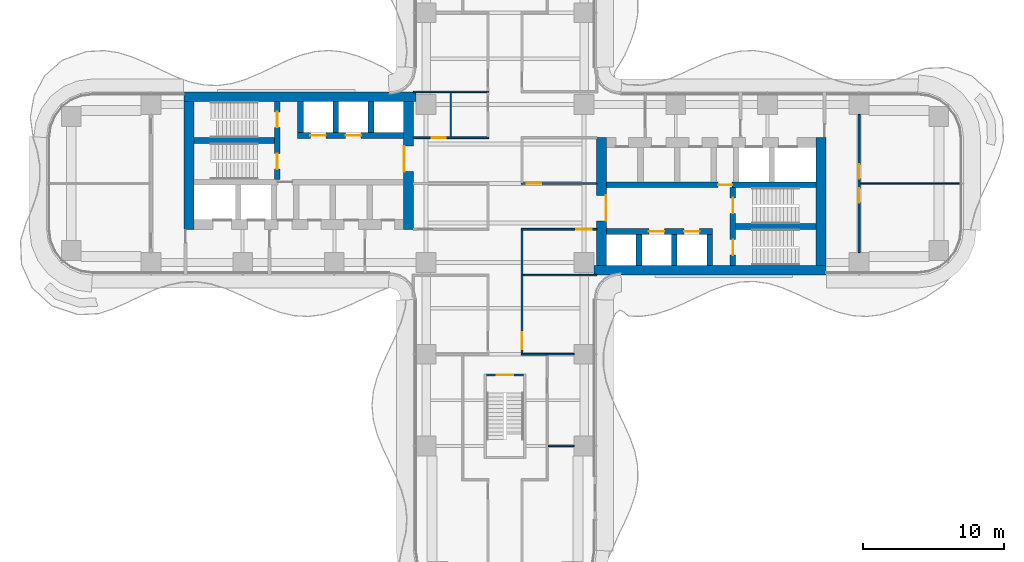
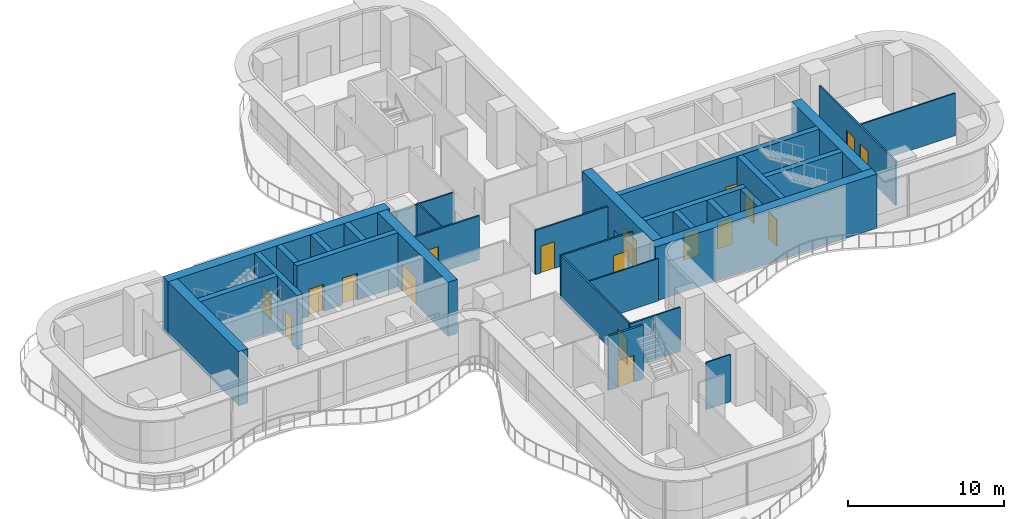
# One storey, part 18 of 22: 32 walls, 18 doors, 18 openings.
"""IFC4 building model written with IfcOpenShell, lengths in metres."""

import ifcopenshell
import ifcopenshell.guid

model = None  # the IFC model being written
_history = None  # IfcOwnerHistory: only IFC2X3 demands one
_inside = {}  # id of a spatial element -> (the spatial element, [elements in it])
_under = {}  # id of a project, library or spatial element -> (it, [spatial elements below it])
_declared = {}  # id of a project -> (the project, [libraries it declares])
_typed = {}  # id of a type object -> (the type object, [elements of that type])
_made_of = {}  # id of a material, layer set ... -> (it, [elements and type objects made of it])


def new_model(schema):
    """Start an empty IFC model of exactly this schema.

    Asked for "IFC4X3", IfcOpenShell would pick the latest addendum, in which some entities
    have other attributes; the version numbers below select the first issue.
    IFC2X3 requires an IfcOwnerHistory on every rooted entity: one is made here for all.
    """
    global model, _history
    if schema == "IFC4X3":
        model = ifcopenshell.file(schema_version=(4, 3, 0, 0))
    else:
        model = ifcopenshell.file(schema=schema)
    _inside.clear()
    _under.clear()
    _declared.clear()
    _typed.clear()
    _made_of.clear()
    _history = None
    if model.schema == "IFC2X3":
        org = make("IfcOrganization", Name="unknown")
        user = make(
            "IfcPersonAndOrganization",
            ThePerson=make("IfcPerson", FamilyName="unknown"),
            TheOrganization=org,
        )
        app = make(
            "IfcApplication",
            ApplicationDeveloper=org,
            Version="unknown",
            ApplicationFullName="unknown",
            ApplicationIdentifier="unknown",
        )
        _history = make(
            "IfcOwnerHistory",
            OwningUser=user,
            OwningApplication=app,
            ChangeAction="ADDED",
            CreationDate=0,
        )
    return model


def make(cls, **values):
    """One entity of the class cls with the attributes given. An attribute that is None is left unset."""
    return model.create_entity(
        cls, **{name: value for name, value in values.items() if value is not None}
    )


def rooted(cls, **values):
    """An entity with a GlobalId (a new one), such as an element, a storey or a relation."""
    return make(cls, GlobalId=ifcopenshell.guid.new(), OwnerHistory=_history, **values)


def si_unit(unit_type, name, prefix=None):
    """IfcSIUnit, for example si_unit("LENGTHUNIT", "METRE", prefix="MILLI")."""
    return make("IfcSIUnit", UnitType=unit_type, Prefix=prefix, Name=name)


def assignment(units):
    """IfcUnitAssignment: the units of a project."""
    return None if units is None else make("IfcUnitAssignment", Units=units)


def point(xyz):
    """IfcCartesianPoint."""
    return None if xyz is None else make("IfcCartesianPoint", Coordinates=xyz)


def direction(xyz):
    """IfcDirection."""
    return None if xyz is None else make("IfcDirection", DirectionRatios=xyz)


def frame(location, z_axis=None, x_axis=None):
    """IfcAxis2Placement3D, a coordinate frame: its origin and axes. An axis left out is left unset."""
    return make(
        "IfcAxis2Placement3D",
        Location=point(location),
        Axis=direction(z_axis),
        RefDirection=direction(x_axis),
    )


def frame_2d(location, x_axis=None):
    """IfcAxis2Placement2D, a coordinate frame in the plane: its origin and x axis."""
    return make(
        "IfcAxis2Placement2D", Location=point(location), RefDirection=direction(x_axis)
    )


def origin():
    """The frame at (0, 0, 0) with its axes left unset."""
    return frame((0.0, 0.0, 0.0))


def place(relative_to, where):
    """IfcLocalPlacement: puts the frame where relative to a parent placement (None: the world)."""
    return make(
        "IfcLocalPlacement", PlacementRelTo=relative_to, RelativePlacement=where
    )


def context(
    kind, dimensions, precision=None, world=None, true_north=None, identifier=None
):
    """IfcGeometricRepresentationContext, for example the 3D "Model" context."""
    return make(
        "IfcGeometricRepresentationContext",
        ContextIdentifier=identifier,
        ContextType=kind,
        CoordinateSpaceDimension=dimensions,
        Precision=precision,
        WorldCoordinateSystem=world,
        TrueNorth=true_north,
    )


def subcontext(parent, identifier, kind, view, scale=None):
    """IfcGeometricRepresentationSubContext, for example "Body" below "Model"."""
    return make(
        "IfcGeometricRepresentationSubContext",
        ContextIdentifier=identifier,
        ContextType=kind,
        ParentContext=parent,
        TargetScale=scale,
        TargetView=view,
    )


def project(units=None, contexts=None):
    """IfcProject with its units and contexts."""
    return rooted(
        "IfcProject",
        Name="project",
        RepresentationContexts=contexts,
        UnitsInContext=assignment(units),
    )


def spatial(cls, under=None, at=None, **own):
    """A site, building, storey or space (cls), placed at a placement, below another one or the project."""
    s = rooted(cls, ObjectPlacement=at, **own)
    if under is not None:
        _under.setdefault(under.id(), (under, []))[1].append(s)
    return s


def profile(cls, at=None, kind="AREA", **sizes):
    """A parametric profile (cls). Its sizes go by their IFC names, for example OverallWidth=200.0."""
    return make(cls, ProfileType=kind, Position=at, **sizes)


def rectangle(**sizes):
    """IfcRectangleProfileDef."""
    return profile("IfcRectangleProfileDef", **sizes)


def extrude(swept, where, along, depth):
    """IfcExtrudedAreaSolid: the profile swept, set in the frame where, extruded along a direction by depth."""
    return make(
        "IfcExtrudedAreaSolid",
        SweptArea=swept,
        Position=where,
        ExtrudedDirection=direction(along),
        Depth=depth,
    )


def shape(context_of_items, identifier, shape_type, items):
    """IfcShapeRepresentation: the items that make up one representation, for example the "Body"."""
    return make(
        "IfcShapeRepresentation",
        ContextOfItems=context_of_items,
        RepresentationIdentifier=identifier,
        RepresentationType=shape_type,
        Items=items,
    )


def source(mapping_origin, context_of_items, identifier, shape_type, items):
    """IfcRepresentationMap: a shape defined once, which mapped items show again and again."""
    return make(
        "IfcRepresentationMap",
        MappingOrigin=mapping_origin,
        MappedRepresentation=shape(context_of_items, identifier, shape_type, items),
    )


def transform(
    local_origin,
    x_axis=None,
    y_axis=None,
    z_axis=None,
    scale=None,
    scale2=None,
    scale3=None,
    uniform=True,
):
    """IfcCartesianTransformationOperator3D, or its non-uniform kind. x_axis, y_axis, z_axis: its Axis1, 2, 3."""
    if uniform:
        return make(
            "IfcCartesianTransformationOperator3D",
            Axis1=direction(x_axis),
            Axis2=direction(y_axis),
            LocalOrigin=point(local_origin),
            Scale=scale,
            Axis3=direction(z_axis),
        )
    return make(
        "IfcCartesianTransformationOperator3DnonUniform",
        Axis1=direction(x_axis),
        Axis2=direction(y_axis),
        LocalOrigin=point(local_origin),
        Scale=scale,
        Axis3=direction(z_axis),
        Scale2=scale2,
        Scale3=scale3,
    )


def mapped(mapping_source, mapping_target):
    """IfcMappedItem: shows the shape of a source again, moved by a transform."""
    return make(
        "IfcMappedItem", MappingSource=mapping_source, MappingTarget=mapping_target
    )


def material(Name=None, Category=None):
    """IfcMaterial."""
    return make("IfcMaterial", Name=Name, Category=Category)


def layer(
    of_material, thickness, ventilated=None, Name=None, Category=None, Priority=None
):
    """IfcMaterialLayer: one layer of a wall or slab, of a material (None: an air gap)."""
    return make(
        "IfcMaterialLayer",
        Material=of_material,
        LayerThickness=thickness,
        IsVentilated=ventilated,
        Name=Name,
        Category=Category,
        Priority=Priority,
    )


def layer_set(layers, Name=None):
    """IfcMaterialLayerSet."""
    return make("IfcMaterialLayerSet", MaterialLayers=layers, LayerSetName=Name)


def made_of(thing, what):
    """Note that an element or type object is made of a material, layer set ...; save() writes the relation."""
    if what is not None:
        _made_of.setdefault(what.id(), (what, []))[1].append(thing)
    return thing


def type_object(cls, material=None, **own):
    """A type object (cls), such as IfcWallType, which elements share."""
    return made_of(rooted(cls, **own), material)


def element(
    cls,
    number,
    at=None,
    inside=None,
    cuts=None,
    type_object=None,
    material=None,
    context=None,
    identifier="Body",
    shape_type=None,
    held_by="IfcProductDefinitionShape",
    body=None,
    shapes=None,
    **own,
):
    """One element of the class cls, such as IfcWall. Its Tag is "e" and its number.

    at: its placement. inside: the storey or other place that contains it. cuts: it is an
    opening in that element (IfcRelVoidsElement). A single representation is given by context,
    identifier, shape_type and body (its items); several are given by shapes. held_by: the class
    of the entity that holds the representations. save() writes the other relations.
    """
    e = rooted(cls, Tag="e%d" % number, ObjectPlacement=at, **own)
    if body is not None:
        shapes = [shape(context, identifier, shape_type, body)]
    if shapes is not None:
        e.Representation = make(held_by, Representations=shapes)
    if inside is not None:
        _inside.setdefault(inside.id(), (inside, []))[1].append(e)
    if cuts is not None:
        rooted(
            "IfcRelVoidsElement", RelatingBuildingElement=cuts, RelatedOpeningElement=e
        )
    if type_object is not None:
        _typed.setdefault(type_object.id(), (type_object, []))[1].append(e)
    return made_of(e, material)


def fill(opening, filler):
    """IfcRelFillsElement: the door or window that sits in an opening."""
    return rooted(
        "IfcRelFillsElement",
        RelatingOpeningElement=opening,
        RelatedBuildingElement=filler,
    )


def aggregate(whole, parts):
    """IfcRelAggregates: a whole, such as a stair, and the parts it consists of."""
    return rooted("IfcRelAggregates", RelatingObject=whole, RelatedObjects=parts)


def save(model, path):
    """Write the relations noted so far, then the file.

    IfcRelAggregates (storeys below a building ...), IfcRelContainedInSpatialStructure (elements
    in a storey), IfcRelDefinesByType, IfcRelAssociatesMaterial and IfcRelDeclares: one each for
    every whole, place, type object, material and project.
    """
    for whole, parts in _under.values():
        aggregate(whole, parts)
    for where, things in _inside.values():
        rooted(
            "IfcRelContainedInSpatialStructure",
            RelatedElements=things,
            RelatingStructure=where,
        )
    for kind, things in _typed.values():
        rooted("IfcRelDefinesByType", RelatedObjects=things, RelatingType=kind)
    for what, things in _made_of.values():
        rooted("IfcRelAssociatesMaterial", RelatedObjects=things, RelatingMaterial=what)
    for by, libraries in _declared.values():
        rooted("IfcRelDeclares", RelatingContext=by, RelatedDefinitions=libraries)
    model.write(path)


model = new_model("IFC4")

# Units and contexts
model_context = context("Model", 3, precision=1e-05, world=origin(), true_north=direction((0.0, 1.0)))
body_context = subcontext(model_context, "Body", "Model", "MODEL_VIEW")
ifc_project = project(units=[si_unit("LENGTHUNIT", "METRE"), si_unit("AREAUNIT", "SQUARE_METRE"), si_unit("VOLUMEUNIT", "CUBIC_METRE"), si_unit("PLANEANGLEUNIT", "RADIAN"), si_unit("MASSUNIT", "GRAM", prefix="KILO")], contexts=[model_context])

# Site, building, storey
site_placement = place(None, origin())
site = spatial("IfcSite", under=ifc_project, at=site_placement, CompositionType="ELEMENT")
building_placement = place(site_placement, origin())
building = spatial("IfcBuilding", under=site, at=building_placement, Name="Trellis Farm Tower", CompositionType="ELEMENT")
storey_placement = place(building_placement, frame((0.0, 0.0, 70.0)))
storey = spatial("IfcBuildingStorey", under=building, at=storey_placement, Name="L14", CompositionType="ELEMENT", Elevation=70.0)

# Wall, opening, door
ifc_material_1 = material(Name="Concrete C80/95", Category="concrete")
ifc_layer_1 = layer(ifc_material_1, 0.699951171875)
ifc_layer_set_1 = layer_set([ifc_layer_1], Name="CORE OUTER WALL 700 CONCRETE C80/95")
wall_type_1 = type_object("IfcWallType", Name="CORE OUTER WALL 700 CONCRETE C80/95", PredefinedType="SHEAR", material=ifc_layer_set_1)
shared_shape_1 = source(origin(), body_context, "Body", "SweptSolid", [
    extrude(rectangle(XDim=9.050048828125, YDim=0.699951171875, at=frame_2d((4.52490234375, 0.0))), origin(), (0.0, 0.0, 1.0), 4.25),
])
wall_1_placement = place(storey_placement, frame((6.85009765625, -5.800048828125, 0.0), z_axis=(0.0, 0.0, 1.0), x_axis=(0.0, 1.0, 0.0)))
wall_1 = element("IfcWall", 1, at=wall_1_placement, inside=storey, type_object=wall_type_1, Name="Core wall", PredefinedType="SHEAR", context=body_context, shape_type="MappedRepresentation", body=[
    mapped(shared_shape_1, transform((0.0, 0.0, 0.0))),
])
shared_shape_2 = source(origin(), body_context, "Body", "SweptSolid", [
    extrude(rectangle(XDim=1.800048828125, YDim=2.10009765625, at=frame_2d((0.89990234375, 1.050048828125))), frame((0.0, 0.360107421875, 0.0), z_axis=(0.0, -1.0, 0.0), x_axis=(1.0, 0.0, 0.0)), (0.0, 0.0, 1.0), 0.72021484375),
])
opening_1_placement = place(wall_1_placement, frame((3.14990234375, 0.0, 0.0)))
opening_1 = element("IfcOpeningElement", 2, at=opening_1_placement, cuts=wall_1, Name="Opening DC1", PredefinedType="OPENING", context=body_context, shape_type="MappedRepresentation", body=[
    mapped(shared_shape_2, transform((0.0, 0.0, 0.0))),
])
ifc_material_2 = material(Name="Steel", Category="steel")
door_type_1 = type_object("IfcDoorType", Name="CORE FIRE DOOR DOUBLE 1800 X 2100", OperationType="DOUBLE_DOOR_SINGLE_SWING", PredefinedType="DOOR", material=ifc_material_2)
shared_shape_3 = source(origin(), body_context, "Body", "SweptSolid", [
    extrude(rectangle(XDim=1.800048828125, YDim=2.10009765625, at=frame_2d((0.89990234375, 1.050048828125))), frame((0.0, -0.27490234375, 0.0), z_axis=(0.0, -1.0, 0.0), x_axis=(1.0, 0.0, 0.0)), (0.0, 0.0, 1.0), 0.050048828125),
])
door_1_placement = place(opening_1_placement, origin())
door_1 = element("IfcDoor", 3, at=door_1_placement, inside=storey, type_object=door_type_1, Name="Core door", OperationType="DOUBLE_DOOR_SINGLE_SWING", OverallHeight=2.10009765625, OverallWidth=1.800048828125, PredefinedType="DOOR", context=body_context, shape_type="MappedRepresentation", body=[
    mapped(shared_shape_3, transform((0.0, 0.0, 0.0))),
])
fill(opening_1, door_1)

# Wall
wall_2_placement = place(storey_placement, frame((22.39990234375, -5.800048828125, 0.0), z_axis=(0.0, 0.0, 1.0), x_axis=(0.0, 1.0, 0.0)))
element("IfcWall", 4, at=wall_2_placement, inside=storey, type_object=wall_type_1, Name="Core wall", PredefinedType="SHEAR", context=body_context, shape_type="MappedRepresentation", body=[
    mapped(shared_shape_1, transform((0.0, 0.0, 0.0))),
])

# Wall, opening, door
wall_3_placement = place(storey_placement, frame((-6.85009765625, 5.800048828125, 0.0), z_axis=(0.0, 0.0, 1.0), x_axis=(0.0, -1.0, 0.0)))
wall_3 = element("IfcWall", 5, at=wall_3_placement, inside=storey, type_object=wall_type_1, Name="Core wall", PredefinedType="SHEAR", context=body_context, shape_type="MappedRepresentation", body=[
    mapped(shared_shape_1, transform((0.0, 0.0, 0.0))),
])
opening_2_placement = place(wall_3_placement, frame((3.14990234375, 0.0, 0.0)))
opening_2 = element("IfcOpeningElement", 6, at=opening_2_placement, cuts=wall_3, Name="Opening DC87", PredefinedType="OPENING", context=body_context, shape_type="MappedRepresentation", body=[
    mapped(shared_shape_2, transform((0.0, 0.0, 0.0))),
])
door_2_placement = place(opening_2_placement, origin())
door_2 = element("IfcDoor", 7, at=door_2_placement, inside=storey, type_object=door_type_1, Name="Core door", OperationType="DOUBLE_DOOR_SINGLE_SWING", OverallHeight=2.10009765625, OverallWidth=1.800048828125, PredefinedType="DOOR", context=body_context, shape_type="MappedRepresentation", body=[
    mapped(shared_shape_3, transform((0.0, 0.0, 0.0))),
])
fill(opening_2, door_2)

# Walls
wall_4_placement = place(storey_placement, frame((-22.39990234375, 5.800048828125, 0.0), z_axis=(0.0, 0.0, 1.0), x_axis=(0.0, -1.0, 0.0)))
element("IfcWall", 8, at=wall_4_placement, inside=storey, type_object=wall_type_1, Name="Core wall", PredefinedType="SHEAR", context=body_context, shape_type="MappedRepresentation", body=[
    mapped(shared_shape_1, transform((0.0, 0.0, 0.0))),
])
ifc_layer_2 = layer(ifc_material_1, 0.39990234375)
ifc_layer_set_2 = layer_set([ifc_layer_2], Name="CORE INNER WALL 400 CONCRETE C80/95")
wall_type_2 = type_object("IfcWallType", Name="CORE INNER WALL 400 CONCRETE C80/95", PredefinedType="SHEAR", material=ifc_layer_set_2)
shared_shape_4 = source(origin(), body_context, "Body", "SweptSolid", [
    extrude(rectangle(XDim=2.199951171875, YDim=0.39990234375, at=frame_2d((1.10009765625, 0.0))), origin(), (0.0, 0.0, 1.0), 4.25),
])
for number, where, z_axis, x_axis, name in (
    (9, (9.5, -5.800048828125, 0.0), (0.0, 0.0, 1.0), (0.0, 1.0, 0.0), "Core wall"),
    (10, (12.0, -5.800048828125, 0.0), (0.0, 0.0, 1.0), (0.0, 1.0, 0.0), "Core wall"),
    (11, (14.5, -5.800048828125, 0.0), (0.0, 0.0, 1.0), (0.0, 1.0, 0.0), "Core wall"),
    (12, (-9.5, 5.800048828125, 0.0), (0.0, 0.0, 1.0), (0.0, -1.0, 0.0), "Core wall"),
    (13, (-12.0, 5.800048828125, 0.0), (0.0, 0.0, 1.0), (0.0, -1.0, 0.0), "Core wall"),
    (14, (-14.5, 5.800048828125, 0.0), (0.0, 0.0, 1.0), (0.0, -1.0, 0.0), "Core wall"),
):
    element("IfcWall", number, at=place(storey_placement, frame(where, z_axis=z_axis, x_axis=x_axis)), inside=storey, type_object=wall_type_2, Name=name, PredefinedType="SHEAR", context=body_context, shape_type="MappedRepresentation", body=[
        mapped(shared_shape_4, transform((0.0, 0.0, 0.0))),
    ])
shared_shape_5 = source(origin(), body_context, "Body", "SweptSolid", [
    extrude(rectangle(XDim=16.449951171875, YDim=0.699951171875, at=frame_2d((8.22509765625, 0.0))), origin(), (0.0, 0.0, 1.0), 4.25),
])
for number, where, z_axis, x_axis, name in (
    (15, (6.300048828125, -6.14990234375, 0.0), (0.0, 0.0, 1.0), (1.0, 0.0, 0.0), "Core wall"),
    (16, (-6.300048828125, 6.14990234375, 0.0), (0.0, 0.0, 1.0), (-1.0, 0.0, 0.0), "Core wall"),
):
    element("IfcWall", number, at=place(storey_placement, frame(where, z_axis=z_axis, x_axis=x_axis)), inside=storey, type_object=wall_type_1, Name=name, PredefinedType="SHEAR", context=body_context, shape_type="MappedRepresentation", body=[
        mapped(shared_shape_5, transform((0.0, 0.0, 0.0))),
    ])

# Wall, openings, doors
shared_shape_6 = source(origin(), body_context, "Body", "SweptSolid", [
    extrude(rectangle(XDim=7.5, YDim=0.39990234375, at=frame_2d((3.75, 0.0))), origin(), (0.0, 0.0, 1.0), 4.25),
])
wall_5_placement = place(storey_placement, frame((7.199951171875, -3.39990234375, 0.0), z_axis=(0.0, 0.0, 1.0), x_axis=(1.0, 0.0, 0.0)))
wall_5 = element("IfcWall", 17, at=wall_5_placement, inside=storey, type_object=wall_type_2, Name="Core wall", PredefinedType="SHEAR", context=body_context, shape_type="MappedRepresentation", body=[
    mapped(shared_shape_6, transform((0.0, 0.0, 0.0))),
])
shared_shape_7 = source(origin(), body_context, "Body", "SweptSolid", [
    extrude(rectangle(XDim=1.10009765625, YDim=2.10009765625, at=frame_2d((0.550048828125, 1.050048828125))), frame((0.0, 0.2099609375, 0.0), z_axis=(0.0, -1.0, 0.0), x_axis=(1.0, 0.0, 0.0)), (0.0, 0.0, 1.0), 0.419921875),
])
opening_3_placement = place(wall_5_placement, frame((3.0, 0.0, 0.0)))
opening_3 = element("IfcOpeningElement", 18, at=opening_3_placement, cuts=wall_5, Name="Opening LD2", PredefinedType="OPENING", context=body_context, shape_type="MappedRepresentation", body=[
    mapped(shared_shape_7, transform((0.0, 0.0, 0.0))),
])
opening_4_placement = place(wall_5_placement, frame((5.5, 0.0, 0.0)))
opening_4 = element("IfcOpeningElement", 19, at=opening_4_placement, cuts=wall_5, Name="Opening LD3", PredefinedType="OPENING", context=body_context, shape_type="MappedRepresentation", body=[
    mapped(shared_shape_7, transform((0.0, 0.0, 0.0))),
])
ifc_material_3 = material(Name="Stainless steel", Category="steel")
door_type_2 = type_object("IfcDoorType", Name="LIFT LANDING DOOR 1100 X 2100", OperationType="DOUBLE_DOOR_SLIDING", PredefinedType="DOOR", material=ifc_material_3)
shared_shape_8 = source(origin(), body_context, "Body", "SweptSolid", [
    extrude(rectangle(XDim=1.10009765625, YDim=2.10009765625, at=frame_2d((0.550048828125, 1.050048828125))), frame((0.0, 0.02490234375, 0.0), z_axis=(0.0, -1.0, 0.0), x_axis=(1.0, 0.0, 0.0)), (0.0, 0.0, 1.0), 0.050048828125),
])
door_3_placement = place(opening_3_placement, origin())
door_3 = element("IfcDoor", 20, at=door_3_placement, inside=storey, type_object=door_type_2, Name="Lift landing door", OperationType="DOUBLE_DOOR_SLIDING", OverallHeight=2.10009765625, OverallWidth=1.10009765625, PredefinedType="DOOR", context=body_context, shape_type="MappedRepresentation", body=[
    mapped(shared_shape_8, transform((0.0, 0.0, 0.0))),
])
fill(opening_3, door_3)
door_4_placement = place(opening_4_placement, origin())
door_4 = element("IfcDoor", 21, at=door_4_placement, inside=storey, type_object=door_type_2, Name="Lift landing door", OperationType="DOUBLE_DOOR_SLIDING", OverallHeight=2.10009765625, OverallWidth=1.10009765625, PredefinedType="DOOR", context=body_context, shape_type="MappedRepresentation", body=[
    mapped(shared_shape_8, transform((0.0, 0.0, 0.0))),
])
fill(opening_4, door_4)

wall_6_placement = place(storey_placement, frame((-7.199951171875, 3.39990234375, 0.0), z_axis=(0.0, 0.0, 1.0), x_axis=(-1.0, 0.0, 0.0)))
wall_6 = element("IfcWall", 22, at=wall_6_placement, inside=storey, type_object=wall_type_2, Name="Core wall", PredefinedType="SHEAR", context=body_context, shape_type="MappedRepresentation", body=[
    mapped(shared_shape_6, transform((0.0, 0.0, 0.0))),
])
opening_5_placement = place(wall_6_placement, frame((3.0, 0.0, 0.0)))
opening_5 = element("IfcOpeningElement", 23, at=opening_5_placement, cuts=wall_6, Name="Opening LD10", PredefinedType="OPENING", context=body_context, shape_type="MappedRepresentation", body=[
    mapped(shared_shape_7, transform((0.0, 0.0, 0.0))),
])
opening_6_placement = place(wall_6_placement, frame((5.5, 0.0, 0.0)))
opening_6 = element("IfcOpeningElement", 24, at=opening_6_placement, cuts=wall_6, Name="Opening LD11", PredefinedType="OPENING", context=body_context, shape_type="MappedRepresentation", body=[
    mapped(shared_shape_7, transform((0.0, 0.0, 0.0))),
])
door_5_placement = place(opening_5_placement, origin())
door_5 = element("IfcDoor", 25, at=door_5_placement, inside=storey, type_object=door_type_2, Name="Lift landing door", OperationType="DOUBLE_DOOR_SLIDING", OverallHeight=2.10009765625, OverallWidth=1.10009765625, PredefinedType="DOOR", context=body_context, shape_type="MappedRepresentation", body=[
    mapped(shared_shape_8, transform((0.0, 0.0, 0.0))),
])
fill(opening_5, door_5)
door_6_placement = place(opening_6_placement, origin())
door_6 = element("IfcDoor", 26, at=door_6_placement, inside=storey, type_object=door_type_2, Name="Lift landing door", OperationType="DOUBLE_DOOR_SLIDING", OverallHeight=2.10009765625, OverallWidth=1.10009765625, PredefinedType="DOOR", context=body_context, shape_type="MappedRepresentation", body=[
    mapped(shared_shape_8, transform((0.0, 0.0, 0.0))),
])
fill(opening_6, door_6)

# Wall, opening, door
shared_shape_9 = source(origin(), body_context, "Body", "SweptSolid", [
    extrude(rectangle(XDim=14.85009765625, YDim=0.39990234375, at=frame_2d((7.425048828125, 0.0))), origin(), (0.0, 0.0, 1.0), 4.25),
])
wall_7_placement = place(storey_placement, frame((7.199951171875, -0.10009765625, 0.0), z_axis=(0.0, 0.0, 1.0), x_axis=(1.0, 0.0, 0.0)))
wall_7 = element("IfcWall", 27, at=wall_7_placement, inside=storey, type_object=wall_type_2, Name="Core wall", PredefinedType="SHEAR", context=body_context, shape_type="MappedRepresentation", body=[
    mapped(shared_shape_9, transform((0.0, 0.0, 0.0))),
])
shared_shape_10 = source(origin(), body_context, "Body", "SweptSolid", [
    extrude(rectangle(XDim=1.0, YDim=2.10009765625, at=frame_2d((0.5, 1.050048828125))), frame((0.0, 0.2099609375, 0.0), z_axis=(0.0, -1.0, 0.0), x_axis=(1.0, 0.0, 0.0)), (0.0, 0.0, 1.0), 0.419921875),
])
opening_7_placement = place(wall_7_placement, frame((7.89990234375, 0.0, 0.0)))
opening_7 = element("IfcOpeningElement", 28, at=opening_7_placement, cuts=wall_7, Name="Opening DC5", PredefinedType="OPENING", context=body_context, shape_type="MappedRepresentation", body=[
    mapped(shared_shape_10, transform((0.0, 0.0, 0.0))),
])
door_type_3 = type_object("IfcDoorType", Name="CORE FIRE DOOR 1000 X 2100", OperationType="NOTDEFINED", PredefinedType="DOOR", material=ifc_material_2)
shared_shape_11 = source(origin(), body_context, "Body", "SweptSolid", [
    extrude(rectangle(XDim=1.0, YDim=2.10009765625, at=frame_2d((0.5, 1.050048828125))), frame((0.0, 0.02490234375, 0.0), z_axis=(0.0, -1.0, 0.0), x_axis=(1.0, 0.0, 0.0)), (0.0, 0.0, 1.0), 0.050048828125),
])
door_7_placement = place(opening_7_placement, origin())
door_7 = element("IfcDoor", 29, at=door_7_placement, inside=storey, type_object=door_type_3, Name="Core door", OperationType="SINGLE_SWING_RIGHT", OverallHeight=2.10009765625, OverallWidth=1.0, PredefinedType="DOOR", context=body_context, shape_type="MappedRepresentation", body=[
    mapped(shared_shape_11, transform((0.0, 0.0, 0.0))),
])
fill(opening_7, door_7)

# Wall, openings, doors
shared_shape_12 = source(origin(), body_context, "Body", "SweptSolid", [
    extrude(rectangle(XDim=5.5, YDim=0.39990234375, at=frame_2d((2.75, 0.0))), origin(), (0.0, 0.0, 1.0), 4.25),
])
wall_8_placement = place(storey_placement, frame((16.14990234375, -5.800048828125, 0.0), z_axis=(0.0, 0.0, 1.0), x_axis=(0.0, 1.0, 0.0)))
wall_8 = element("IfcWall", 30, at=wall_8_placement, inside=storey, type_object=wall_type_2, Name="Core wall", PredefinedType="SHEAR", context=body_context, shape_type="MappedRepresentation", body=[
    mapped(shared_shape_12, transform((0.0, 0.0, 0.0))),
])
opening_8_placement = place(wall_8_placement, frame((0.72509765625, 0.0, 0.0)))
opening_8 = element("IfcOpeningElement", 31, at=opening_8_placement, cuts=wall_8, Name="Opening DC2", PredefinedType="OPENING", context=body_context, shape_type="MappedRepresentation", body=[
    mapped(shared_shape_7, transform((0.0, 0.0, 0.0))),
])
opening_9_placement = place(wall_8_placement, frame((3.675048828125, 0.0, 0.0)))
opening_9 = element("IfcOpeningElement", 32, at=opening_9_placement, cuts=wall_8, Name="Opening DC3", PredefinedType="OPENING", context=body_context, shape_type="MappedRepresentation", body=[
    mapped(shared_shape_7, transform((0.0, 0.0, 0.0))),
])
door_type_4 = type_object("IfcDoorType", Name="CORE FIRE DOOR 1100 X 2100", OperationType="NOTDEFINED", PredefinedType="DOOR", material=ifc_material_2)
door_8_placement = place(opening_8_placement, origin())
door_8 = element("IfcDoor", 33, at=door_8_placement, inside=storey, type_object=door_type_4, Name="Core door", OperationType="SINGLE_SWING_RIGHT", OverallHeight=2.10009765625, OverallWidth=1.10009765625, PredefinedType="DOOR", context=body_context, shape_type="MappedRepresentation", body=[
    mapped(shared_shape_8, transform((0.0, 0.0, 0.0))),
])
fill(opening_8, door_8)
door_9_placement = place(opening_9_placement, origin())
door_9 = element("IfcDoor", 34, at=door_9_placement, inside=storey, type_object=door_type_4, Name="Core door", OperationType="SINGLE_SWING_LEFT", OverallHeight=2.10009765625, OverallWidth=1.10009765625, PredefinedType="DOOR", context=body_context, shape_type="MappedRepresentation", body=[
    mapped(shared_shape_8, transform((0.0, 0.0, 0.0))),
])
fill(opening_9, door_9)

wall_9_placement = place(storey_placement, frame((-16.14990234375, 5.800048828125, 0.0), z_axis=(0.0, 0.0, 1.0), x_axis=(0.0, -1.0, 0.0)))
wall_9 = element("IfcWall", 35, at=wall_9_placement, inside=storey, type_object=wall_type_2, Name="Core wall", PredefinedType="SHEAR", context=body_context, shape_type="MappedRepresentation", body=[
    mapped(shared_shape_12, transform((0.0, 0.0, 0.0))),
])
opening_10_placement = place(wall_9_placement, frame((0.72509765625, 0.0, 0.0)))
opening_10 = element("IfcOpeningElement", 36, at=opening_10_placement, cuts=wall_9, Name="Opening DC88", PredefinedType="OPENING", context=body_context, shape_type="MappedRepresentation", body=[
    mapped(shared_shape_7, transform((0.0, 0.0, 0.0))),
])
opening_11_placement = place(wall_9_placement, frame((3.675048828125, 0.0, 0.0)))
opening_11 = element("IfcOpeningElement", 37, at=opening_11_placement, cuts=wall_9, Name="Opening DC89", PredefinedType="OPENING", context=body_context, shape_type="MappedRepresentation", body=[
    mapped(shared_shape_7, transform((0.0, 0.0, 0.0))),
])
door_10_placement = place(opening_10_placement, origin())
door_10 = element("IfcDoor", 38, at=door_10_placement, inside=storey, type_object=door_type_4, Name="Core door", OperationType="SINGLE_SWING_RIGHT", OverallHeight=2.10009765625, OverallWidth=1.10009765625, PredefinedType="DOOR", context=body_context, shape_type="MappedRepresentation", body=[
    mapped(shared_shape_8, transform((0.0, 0.0, 0.0))),
])
fill(opening_10, door_10)
door_11_placement = place(opening_11_placement, origin())
door_11 = element("IfcDoor", 39, at=door_11_placement, inside=storey, type_object=door_type_4, Name="Core door", OperationType="SINGLE_SWING_LEFT", OverallHeight=2.10009765625, OverallWidth=1.10009765625, PredefinedType="DOOR", context=body_context, shape_type="MappedRepresentation", body=[
    mapped(shared_shape_8, transform((0.0, 0.0, 0.0))),
])
fill(opening_11, door_11)

# Walls
shared_shape_13 = source(origin(), body_context, "Body", "SweptSolid", [
    extrude(rectangle(XDim=5.699951171875, YDim=0.39990234375, at=frame_2d((2.85009765625, 0.0))), origin(), (0.0, 0.0, 1.0), 4.25),
])
for number, where, z_axis, x_axis, name in (
    (40, (16.35009765625, -3.050048828125, 0.0), (0.0, 0.0, 1.0), (1.0, 0.0, 0.0), "Core wall"),
    (41, (-16.35009765625, 3.050048828125, 0.0), (0.0, 0.0, 1.0), (-1.0, 0.0, 0.0), "Core wall"),
):
    element("IfcWall", number, at=place(storey_placement, frame(where, z_axis=z_axis, x_axis=x_axis)), inside=storey, type_object=wall_type_2, Name=name, PredefinedType="SHEAR", context=body_context, shape_type="MappedRepresentation", body=[
        mapped(shared_shape_13, transform((0.0, 0.0, 0.0))),
    ])

# Wall, opening, door
ifc_layer_3 = layer(ifc_material_1, 0.14990234375)
ifc_layer_set_3 = layer_set([ifc_layer_3], Name="CORE STAIR ENCLOSURE WALL 150 CONCRETE C80/95")
wall_type_3 = type_object("IfcWallType", Name="CORE STAIR ENCLOSURE WALL 150 CONCRETE C80/95", PredefinedType="SHEAR", material=ifc_layer_set_3)
shared_shape_14 = source(origin(), body_context, "Body", "SweptSolid", [
    extrude(rectangle(XDim=2.60009765625, YDim=0.14990234375, at=frame_2d((1.300048828125, 0.0))), origin(), (0.0, 0.0, 1.0), 4.25),
])
wall_10_placement = place(storey_placement, frame((1.300048828125, -13.574951171875, 0.0), z_axis=(0.0, 0.0, 1.0), x_axis=(-1.0, 0.0, 0.0)))
wall_10 = element("IfcWall", 42, at=wall_10_placement, inside=storey, type_object=wall_type_3, Name="Stair enclosure wall", PredefinedType="SHEAR", context=body_context, shape_type="MappedRepresentation", body=[
    mapped(shared_shape_14, transform((0.0, 0.0, 0.0))),
])
shared_shape_15 = source(origin(), body_context, "Body", "SweptSolid", [
    extrude(rectangle(XDim=1.199951171875, YDim=2.10009765625, at=frame_2d((0.60009765625, 1.050048828125))), frame((0.0, 0.0849609375, 0.0), z_axis=(0.0, -1.0, 0.0), x_axis=(1.0, 0.0, 0.0)), (0.0, 0.0, 1.0), 0.169921875),
])
opening_12_placement = place(wall_10_placement, frame((0.699951171875, 0.0, 0.0)))
opening_12 = element("IfcOpeningElement", 43, at=opening_12_placement, cuts=wall_10, Name="Opening DC174", PredefinedType="OPENING", context=body_context, shape_type="MappedRepresentation", body=[
    mapped(shared_shape_15, transform((0.0, 0.0, 0.0))),
])
door_type_5 = type_object("IfcDoorType", Name="CORE FIRE DOOR 1200 X 2100", OperationType="NOTDEFINED", PredefinedType="DOOR", material=ifc_material_2)
shared_shape_16 = source(origin(), body_context, "Body", "SweptSolid", [
    extrude(rectangle(XDim=1.199951171875, YDim=2.10009765625, at=frame_2d((0.60009765625, 1.050048828125))), frame((0.0, 0.02490234375, 0.0), z_axis=(0.0, -1.0, 0.0), x_axis=(1.0, 0.0, 0.0)), (0.0, 0.0, 1.0), 0.050048828125),
])
door_12_placement = place(opening_12_placement, origin())
door_12 = element("IfcDoor", 44, at=door_12_placement, inside=storey, type_object=door_type_5, Name="Core door", OperationType="SINGLE_SWING_RIGHT", OverallHeight=2.10009765625, OverallWidth=1.199951171875, PredefinedType="DOOR", context=body_context, shape_type="MappedRepresentation", body=[
    mapped(shared_shape_16, transform((0.0, 0.0, 0.0))),
])
fill(opening_12, door_12)

# Wall, openings, doors
ifc_material_4 = material(Name="Plasterboard on steel studs, mineral wool", Category="steel")
ifc_layer_4 = layer(ifc_material_4, 0.125)
ifc_layer_set_4 = layer_set([ifc_layer_4], Name="PARTITION 125 STUD EI 60")
wall_type_4 = type_object("IfcWallType", Name="PARTITION 125 STUD EI 60", PredefinedType="PARTITIONING", material=ifc_layer_set_4)
shared_shape_17 = source(origin(), body_context, "Body", "SweptSolid", [
    extrude(rectangle(XDim=9.7998046875, YDim=0.125, at=frame_2d((4.89990234375, 0.0))), origin(), (0.0, 0.0, 1.0), 3.4677734375),
])
wall_11_placement = place(storey_placement, frame((25.10009765625, 4.89990234375, 0.0), z_axis=(0.0, 0.0, 1.0), x_axis=(0.0, -1.0, 0.0)))
wall_11 = element("IfcWall", 45, at=wall_11_placement, inside=storey, type_object=wall_type_4, Name="Partition PW1", PredefinedType="PARTITIONING", context=body_context, shape_type="MappedRepresentation", body=[
    mapped(shared_shape_17, transform((0.0, 0.0, 0.0))),
])
shared_shape_18 = source(origin(), body_context, "Body", "SweptSolid", [
    extrude(rectangle(XDim=1.0, YDim=2.10009765625, at=frame_2d((0.5, 1.050048828125))), frame((0.0, 0.072509765625, 0.0), z_axis=(0.0, -1.0, 0.0), x_axis=(1.0, 0.0, 0.0)), (0.0, 0.0, 1.0), 0.14501953125),
])
opening_13_placement = place(wall_11_placement, frame((5.25, 0.0, 0.0)))
opening_13 = element("IfcOpeningElement", 46, at=opening_13_placement, cuts=wall_11, Name="Opening D106", PredefinedType="OPENING", context=body_context, shape_type="MappedRepresentation", body=[
    mapped(shared_shape_18, transform((0.0, 0.0, 0.0))),
])
opening_14_placement = place(wall_11_placement, frame((3.550048828125, 0.0, 0.0)))
opening_14 = element("IfcOpeningElement", 47, at=opening_14_placement, cuts=wall_11, Name="Opening D108", PredefinedType="OPENING", context=body_context, shape_type="MappedRepresentation", body=[
    mapped(shared_shape_18, transform((0.0, 0.0, 0.0))),
])
ifc_material_5 = material(Name="Fire-rated timber door leaf in a hollow metal frame", Category="wood")
door_type_6 = type_object("IfcDoorType", Name="DOOR 1000x2100 FD30S", OperationType="NOTDEFINED", PredefinedType="DOOR", material=ifc_material_5)
door_13_placement = place(opening_13_placement, origin())
door_13 = element("IfcDoor", 48, at=door_13_placement, inside=storey, type_object=door_type_6, Name="Door D106", OperationType="SINGLE_SWING_LEFT", OverallHeight=2.10009765625, OverallWidth=1.0, PredefinedType="DOOR", context=body_context, shape_type="MappedRepresentation", body=[
    mapped(shared_shape_11, transform((0.0, 0.0, 0.0))),
])
fill(opening_13, door_13)
door_14_placement = place(opening_14_placement, origin())
door_14 = element("IfcDoor", 49, at=door_14_placement, inside=storey, type_object=door_type_6, Name="Door D108", OperationType="SINGLE_SWING_RIGHT", OverallHeight=2.10009765625, OverallWidth=1.0, PredefinedType="DOOR", context=body_context, shape_type="MappedRepresentation", body=[
    mapped(shared_shape_11, transform((0.0, 0.0, 0.0))),
])
fill(opening_14, door_14)

# Wall
shared_shape_19 = source(origin(), body_context, "Body", "SweptSolid", [
    extrude(rectangle(XDim=1.925048828125, YDim=0.125, at=frame_2d((0.96240234375, 0.0))), origin(), (0.0, 0.0, 1.0), 3.4677734375),
])
wall_12_placement = place(storey_placement, frame((1.137451171875, -12.10009765625, 0.0), z_axis=(0.0, 0.0, 1.0), x_axis=(1.0, 0.0, 0.0)))
element("IfcWall", 50, at=wall_12_placement, inside=storey, type_object=wall_type_4, Name="Partition PW1", PredefinedType="PARTITIONING", context=body_context, shape_type="MappedRepresentation", body=[
    mapped(shared_shape_19, transform((0.0, 0.0, 0.0))),
])

# Wall, opening, door
shared_shape_20 = source(origin(), body_context, "Body", "SweptSolid", [
    extrude(rectangle(XDim=5.362548828125, YDim=0.125, at=frame_2d((2.68115234375, 0.0))), origin(), (0.0, 0.0, 1.0), 3.4677734375),
])
wall_13_placement = place(storey_placement, frame((6.5, -3.25, 0.0), z_axis=(0.0, 0.0, 1.0), x_axis=(-1.0, 0.0, 0.0)))
wall_13 = element("IfcWall", 51, at=wall_13_placement, inside=storey, type_object=wall_type_4, Name="Partition PW1", PredefinedType="PARTITIONING", context=body_context, shape_type="MappedRepresentation", body=[
    mapped(shared_shape_20, transform((0.0, 0.0, 0.0))),
])
shared_shape_21 = source(origin(), body_context, "Body", "SweptSolid", [
    extrude(rectangle(XDim=1.10009765625, YDim=2.10009765625, at=frame_2d((0.550048828125, 1.050048828125))), frame((0.0, 0.072509765625, 0.0), z_axis=(0.0, -1.0, 0.0), x_axis=(1.0, 0.0, 0.0)), (0.0, 0.0, 1.0), 0.14501953125),
])
opening_15_placement = place(wall_13_placement, frame((0.35009765625, 0.0, 0.0)))
opening_15 = element("IfcOpeningElement", 52, at=opening_15_placement, cuts=wall_13, Name="Opening D501", PredefinedType="OPENING", context=body_context, shape_type="MappedRepresentation", body=[
    mapped(shared_shape_21, transform((0.0, 0.0, 0.0))),
])
door_type_7 = type_object("IfcDoorType", Name="DOOR 1100x2100 FD30S", OperationType="NOTDEFINED", PredefinedType="DOOR", material=ifc_material_5)
door_15_placement = place(opening_15_placement, origin())
door_15 = element("IfcDoor", 53, at=door_15_placement, inside=storey, type_object=door_type_7, Name="Door D501", OperationType="SINGLE_SWING_LEFT", OverallHeight=2.10009765625, OverallWidth=1.10009765625, PredefinedType="DOOR", context=body_context, shape_type="MappedRepresentation", body=[
    mapped(shared_shape_8, transform((0.0, 0.0, 0.0))),
])
fill(opening_15, door_15)

wall_14_placement = place(storey_placement, frame((6.5, 0.0, 0.0), z_axis=(0.0, 0.0, 1.0), x_axis=(-1.0, 0.0, 0.0)))
wall_14 = element("IfcWall", 54, at=wall_14_placement, inside=storey, type_object=wall_type_4, Name="Partition PW1", PredefinedType="PARTITIONING", context=body_context, shape_type="MappedRepresentation", body=[
    mapped(shared_shape_20, transform((0.0, 0.0, 0.0))),
])
opening_16_placement = place(wall_14_placement, frame((3.949951171875, 0.0, 0.0)))
opening_16 = element("IfcOpeningElement", 55, at=opening_16_placement, cuts=wall_14, Name="Opening D107", PredefinedType="OPENING", context=body_context, shape_type="MappedRepresentation", body=[
    mapped(shared_shape_18, transform((0.0, 0.0, 0.0))),
])
door_16_placement = place(opening_16_placement, origin())
door_16 = element("IfcDoor", 56, at=door_16_placement, inside=storey, type_object=door_type_6, Name="Door D107", OperationType="SINGLE_SWING_RIGHT", OverallHeight=2.10009765625, OverallWidth=1.0, PredefinedType="DOOR", context=body_context, shape_type="MappedRepresentation", body=[
    mapped(shared_shape_11, transform((0.0, 0.0, 0.0))),
])
fill(opening_16, door_16)

wall_15_placement = place(storey_placement, frame((-6.5, 3.25, 0.0), z_axis=(0.0, 0.0, 1.0), x_axis=(1.0, 0.0, 0.0)))
wall_15 = element("IfcWall", 57, at=wall_15_placement, inside=storey, type_object=wall_type_4, Name="Partition PW1", PredefinedType="PARTITIONING", context=body_context, shape_type="MappedRepresentation", body=[
    mapped(shared_shape_20, transform((0.0, 0.0, 0.0))),
])
opening_17_placement = place(wall_15_placement, frame((1.300048828125, 0.0, 0.0)))
opening_17 = element("IfcOpeningElement", 58, at=opening_17_placement, cuts=wall_15, Name="Opening D109", PredefinedType="OPENING", context=body_context, shape_type="MappedRepresentation", body=[
    mapped(shared_shape_18, transform((0.0, 0.0, 0.0))),
])
door_17_placement = place(opening_17_placement, origin())
door_17 = element("IfcDoor", 59, at=door_17_placement, inside=storey, type_object=door_type_6, Name="Door D109", OperationType="SINGLE_SWING_RIGHT", OverallHeight=2.10009765625, OverallWidth=1.0, PredefinedType="DOOR", context=body_context, shape_type="MappedRepresentation", body=[
    mapped(shared_shape_11, transform((0.0, 0.0, 0.0))),
])
fill(opening_17, door_17)

shared_shape_22 = source(origin(), body_context, "Body", "SweptSolid", [
    extrude(rectangle(XDim=8.72509765625, YDim=0.125, at=frame_2d((4.362548828125, 0.0))), origin(), (0.0, 0.0, 1.0), 3.4677734375),
])
wall_16_placement = place(storey_placement, frame((1.199951171875, -3.3125, 0.0), z_axis=(0.0, 0.0, 1.0), x_axis=(0.0, -1.0, 0.0)))
wall_16 = element("IfcWall", 60, at=wall_16_placement, inside=storey, type_object=wall_type_4, Name="Partition PW1", PredefinedType="PARTITIONING", context=body_context, shape_type="MappedRepresentation", body=[
    mapped(shared_shape_22, transform((0.0, 0.0, 0.0))),
])
shared_shape_23 = source(origin(), body_context, "Body", "SweptSolid", [
    extrude(rectangle(XDim=1.199951171875, YDim=2.10009765625, at=frame_2d((0.60009765625, 1.050048828125))), frame((0.0, 0.072509765625, 0.0), z_axis=(0.0, -1.0, 0.0), x_axis=(1.0, 0.0, 0.0)), (0.0, 0.0, 1.0), 0.14501953125),
])
opening_18_placement = place(wall_16_placement, frame((7.237548828125, 0.0, 0.0)))
opening_18 = element("IfcOpeningElement", 61, at=opening_18_placement, cuts=wall_16, Name="Opening D602", PredefinedType="OPENING", context=body_context, shape_type="MappedRepresentation", body=[
    mapped(shared_shape_23, transform((0.0, 0.0, 0.0))),
])
door_type_8 = type_object("IfcDoorType", Name="DOOR 1200x2100 FD30S", OperationType="NOTDEFINED", PredefinedType="DOOR", material=ifc_material_5)
door_18_placement = place(opening_18_placement, origin())
door_18 = element("IfcDoor", 62, at=door_18_placement, inside=storey, type_object=door_type_8, Name="Door D602", OperationType="SINGLE_SWING_RIGHT", OverallHeight=2.10009765625, OverallWidth=1.199951171875, PredefinedType="DOOR", context=body_context, shape_type="MappedRepresentation", body=[
    mapped(shared_shape_16, transform((0.0, 0.0, 0.0))),
])
fill(opening_18, door_18)

# Walls
ifc_material_6 = material(Name="Plasterboard on steel studs", Category="steel")
ifc_layer_5 = layer(ifc_material_6, 0.10009765625)
ifc_layer_set_5 = layer_set([ifc_layer_5], Name="PARTITION 100 STUD EI 30")
wall_type_5 = type_object("IfcWallType", Name="PARTITION 100 STUD EI 30", PredefinedType="PARTITIONING", material=ifc_layer_set_5)
shared_shape_24 = source(origin(), body_context, "Body", "SweptSolid", [
    extrude(rectangle(XDim=1.96240234375, YDim=0.10009765625, at=frame_2d((0.981201171875, 0.0))), origin(), (0.0, 0.0, 1.0), 3.4677734375),
])
wall_17_placement = place(storey_placement, frame((2.9375, -12.10009765625, 0.0), z_axis=(0.0, 0.0, 1.0), x_axis=(1.0, 0.0, 0.0)))
element("IfcWall", 63, at=wall_17_placement, inside=storey, type_object=wall_type_5, Name="Partition PW2", PredefinedType="PARTITIONING", context=body_context, shape_type="MappedRepresentation", body=[
    mapped(shared_shape_24, transform((0.0, 0.0, 0.0))),
])
shared_shape_25 = source(origin(), body_context, "Body", "SweptSolid", [
    extrude(rectangle(XDim=7.137451171875, YDim=0.10009765625, at=frame_2d((3.56884765625, 0.0))), origin(), (0.0, 0.0, 1.0), 3.330078125),
])
wall_18_placement = place(storey_placement, frame((25.16259765625, 0.0, 0.0), z_axis=(0.0, 0.0, 1.0), x_axis=(1.0, 0.0, 0.0)))
element("IfcWall", 64, at=wall_18_placement, inside=storey, type_object=wall_type_5, Name="Partition PW2", PredefinedType="PARTITIONING", context=body_context, shape_type="MappedRepresentation", body=[
    mapped(shared_shape_25, transform((0.0, 0.0, 0.0))),
])
shared_shape_26 = source(origin(), body_context, "Body", "SweptSolid", [
    extrude(rectangle(XDim=5.362548828125, YDim=0.10009765625, at=frame_2d((2.68115234375, 0.0))), origin(), (0.0, 0.0, 1.0), 3.330078125),
])
wall_19_placement = place(storey_placement, frame((-6.5, 6.5, 0.0), z_axis=(0.0, 0.0, 1.0), x_axis=(1.0, 0.0, 0.0)))
element("IfcWall", 65, at=wall_19_placement, inside=storey, type_object=wall_type_5, Name="Partition PW2", PredefinedType="PARTITIONING", context=body_context, shape_type="MappedRepresentation", body=[
    mapped(shared_shape_26, transform((0.0, 0.0, 0.0))),
])
shared_shape_27 = source(origin(), body_context, "Body", "SweptSolid", [
    extrude(rectangle(XDim=5.237548828125, YDim=0.10009765625, at=frame_2d((2.61865234375, 0.0))), origin(), (0.0, 0.0, 1.0), 3.330078125),
])
wall_20_placement = place(storey_placement, frame((1.262451171875, -6.5, 0.0), z_axis=(0.0, 0.0, 1.0), x_axis=(1.0, 0.0, 0.0)))
element("IfcWall", 66, at=wall_20_placement, inside=storey, type_object=wall_type_5, Name="Partition PW2", PredefinedType="PARTITIONING", context=body_context, shape_type="MappedRepresentation", body=[
    mapped(shared_shape_27, transform((0.0, 0.0, 0.0))),
])
shared_shape_28 = source(origin(), body_context, "Body", "SweptSolid", [
    extrude(rectangle(XDim=3.137451171875, YDim=0.10009765625, at=frame_2d((1.56884765625, 0.0))), origin(), (0.0, 0.0, 1.0), 3.4677734375),
])
wall_21_placement = place(storey_placement, frame((-3.85009765625, 3.3125, 0.0), z_axis=(0.0, 0.0, 1.0), x_axis=(0.0, 1.0, 0.0)))
element("IfcWall", 67, at=wall_21_placement, inside=storey, type_object=wall_type_5, Name="Partition PW2", PredefinedType="PARTITIONING", context=body_context, shape_type="MappedRepresentation", body=[
    mapped(shared_shape_28, transform((0.0, 0.0, 0.0))),
])
shared_shape_29 = source(origin(), body_context, "Body", "SweptSolid", [
    extrude(rectangle(XDim=1.83740234375, YDim=0.10009765625, at=frame_2d((0.918701171875, 0.0))), origin(), (0.0, 0.0, 1.0), 3.697021484375),
])
wall_22_placement = place(storey_placement, frame((3.0625, -18.60009765625, 0.0), z_axis=(0.0, 0.0, 1.0), x_axis=(1.0, 0.0, 0.0)))
element("IfcWall", 68, at=wall_22_placement, inside=storey, type_object=wall_type_5, Name="Partition PW2", PredefinedType="PARTITIONING", context=body_context, shape_type="MappedRepresentation", body=[
    mapped(shared_shape_29, transform((0.0, 0.0, 0.0))),
])

save(model, "model.ifc")
